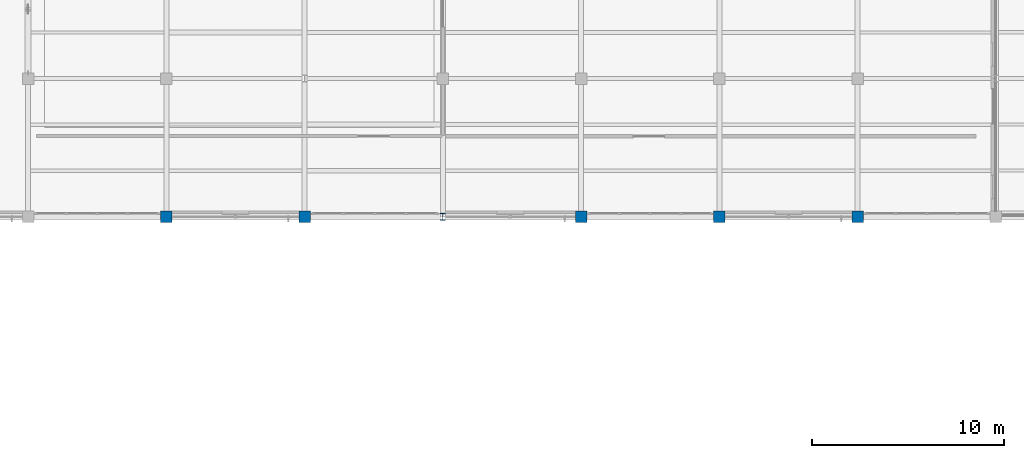
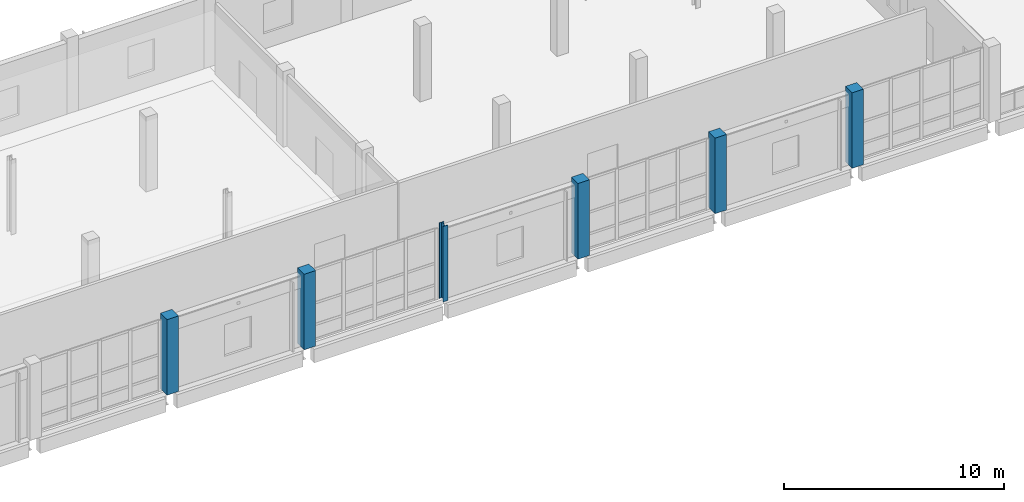
# One storey, part 12 of 94: 6 columns.
"""IFC4 building model written with IfcOpenShell, lengths in metres."""

from ifc_helpers import new_model, si_unit, direction, frame, origin, origin_2d, place, context, subcontext, project, spatial, rectangle, i_section, extrude, material, material_profile, profile_set, type_object, element, save


model = new_model("IFC4")

# Units and contexts
model_context = context("Model", 3, precision=1e-05, world=origin(), true_north=direction((0.0, 1.0)))
body_context = subcontext(model_context, "Body", "Model", "MODEL_VIEW")
ifc_project = project(units=[si_unit("LENGTHUNIT", "METRE"), si_unit("AREAUNIT", "SQUARE_METRE"), si_unit("VOLUMEUNIT", "CUBIC_METRE"), si_unit("PLANEANGLEUNIT", "RADIAN"), si_unit("MASSUNIT", "GRAM", prefix="KILO")], contexts=[model_context])

# Site, building, storey
site_placement = place(None, origin())
site = spatial("IfcSite", under=ifc_project, at=site_placement, CompositionType="ELEMENT")
building_placement = place(site_placement, origin())
building = spatial("IfcBuilding", under=site, at=building_placement, Name="Kalmorath City Hall", CompositionType="ELEMENT")
storey_placement = place(building_placement, frame((0.0, 0.0, 14.699951171875)))
storey = spatial("IfcBuildingStorey", under=building, at=storey_placement, Name="L03", CompositionType="ELEMENT", Elevation=14.699951171875)

# Columns
ifc_material_1 = material(Name="Concrete C50/60", Category="concrete")
ifc_material_profile_1 = material_profile(ifc_material_1, rectangle(XDim=0.60009765625, YDim=0.60009765625, at=origin_2d()), Name="RC-COL-600X600")
ifc_profile_set_1 = profile_set([ifc_material_profile_1], Name="Concrete C50/60")
column_type_1 = type_object("IfcColumnType", Name="Concrete column 600x600", PredefinedType="COLUMN", material=ifc_profile_set_1)
for number, where, z_axis, x_axis, name in (
    (1, (72.0, 93.60009765625, 0.0), (0.0, 0.0, 1.0), (1.0, 0.0, 0.0), "L03 column C6 (11/14)"),
    (2, (79.199951171875, 93.60009765625, 0.0), (0.0, 0.0, 1.0), (1.0, 0.0, 0.0), "L03 column C6 (12/14)"),
    (3, (93.60009765625, 93.60009765625, 0.0), (0.0, 0.0, 1.0), (1.0, 0.0, 0.0), "L03 column C6 (14/14)"),
    (4, (100.800048828125, 93.60009765625, 0.0), (0.0, 0.0, 1.0), (1.0, 0.0, 0.0), "L03 column C6 (15/14)"),
    (5, (108.0, 93.60009765625, 0.0), (0.0, 0.0, 1.0), (1.0, 0.0, 0.0), "L03 column C6 (16/14)"),
):
    element("IfcColumn", number, at=place(storey_placement, frame(where, z_axis=z_axis, x_axis=x_axis)), inside=storey, type_object=column_type_1, Name=name, PredefinedType="COLUMN", context=body_context, shape_type="SweptSolid", body=[
        extrude(rectangle(XDim=0.60009765625, YDim=0.60009765625, at=origin_2d()), origin(), (0.0, 0.0, 1.0), 4.199951171875),
    ])
ifc_material_2 = material(Name="Steel ASTM A992 Grade 50", Category="steel")
ifc_material_profile_2 = material_profile(ifc_material_2, i_section(OverallWidth=0.25390625, OverallDepth=0.35302734375, WebThickness=0.009521484375, FlangeThickness=0.016357421875, FilletRadius=0.014892578125, at=origin_2d()), Name="W14X61")
ifc_profile_set_2 = profile_set([ifc_material_profile_2], Name="Steel ASTM A992 Grade 50")
column_type_2 = type_object("IfcColumnType", Name="Steel wide-flange column W14X61", PredefinedType="COLUMN", material=ifc_profile_set_2)
column_placement = place(storey_placement, frame((86.39990234375, 93.60009765625, 0.0), z_axis=(0.0, 0.0, 1.0), x_axis=(1.0, 0.0, 0.0)))
element("IfcColumn", 6, at=column_placement, inside=storey, type_object=column_type_2, Name="L03 column SC1 (13/14)", PredefinedType="COLUMN", context=body_context, shape_type="SweptSolid", body=[
    extrude(i_section(OverallWidth=0.25390625, OverallDepth=0.35302734375, WebThickness=0.009521484375, FlangeThickness=0.016357421875, FilletRadius=0.014892578125, at=origin_2d()), origin(), (0.0, 0.0, 1.0), 4.199951171875),
])

save(model, "model.ifc")
